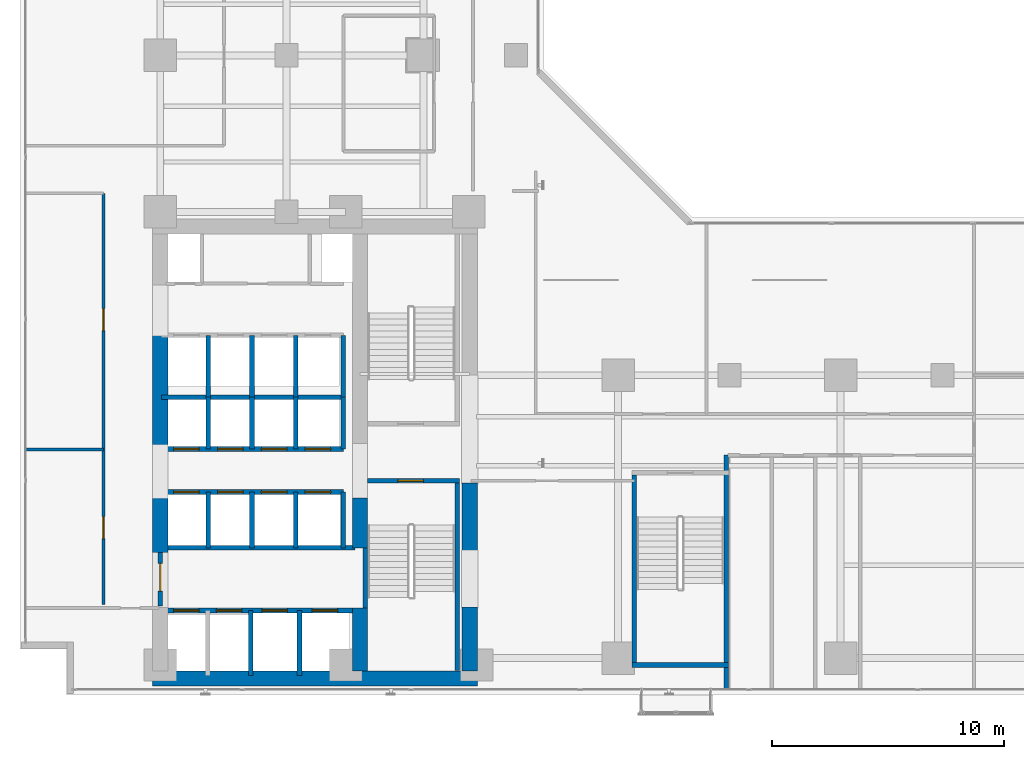
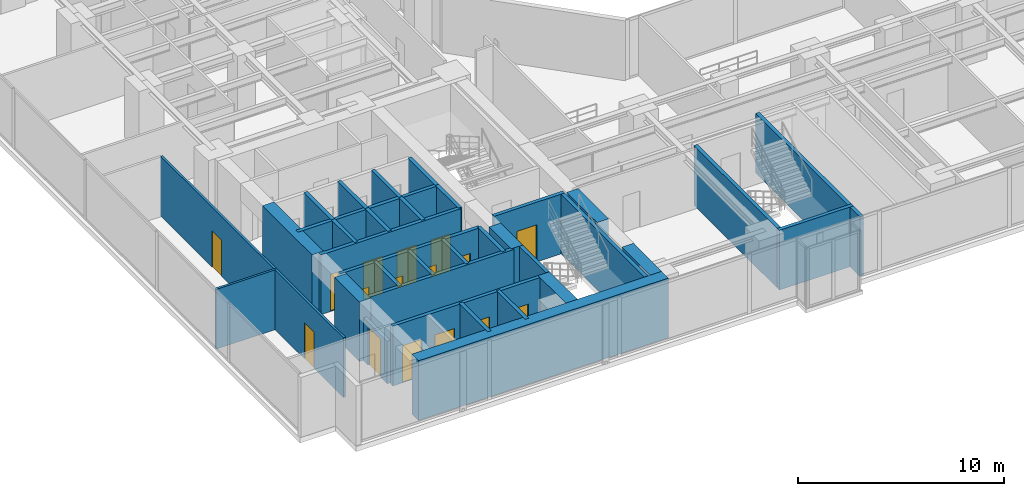
# One storey, part 19 of 26: 35 walls, 16 doors, 16 openings.
"""IFC4 building model written with IfcOpenShell, lengths in metres."""

import ifcopenshell
import ifcopenshell.guid

model = None  # the IFC model being written
_history = None  # IfcOwnerHistory: only IFC2X3 demands one
_inside = {}  # id of a spatial element -> (the spatial element, [elements in it])
_under = {}  # id of a project, library or spatial element -> (it, [spatial elements below it])
_declared = {}  # id of a project -> (the project, [libraries it declares])
_typed = {}  # id of a type object -> (the type object, [elements of that type])
_made_of = {}  # id of a material, layer set ... -> (it, [elements and type objects made of it])


def new_model(schema):
    """Start an empty IFC model of exactly this schema.

    Asked for "IFC4X3", IfcOpenShell would pick the latest addendum, in which some entities
    have other attributes; the version numbers below select the first issue.
    IFC2X3 requires an IfcOwnerHistory on every rooted entity: one is made here for all.
    """
    global model, _history
    if schema == "IFC4X3":
        model = ifcopenshell.file(schema_version=(4, 3, 0, 0))
    else:
        model = ifcopenshell.file(schema=schema)
    _inside.clear()
    _under.clear()
    _declared.clear()
    _typed.clear()
    _made_of.clear()
    _history = None
    if model.schema == "IFC2X3":
        org = make("IfcOrganization", Name="unknown")
        user = make(
            "IfcPersonAndOrganization",
            ThePerson=make("IfcPerson", FamilyName="unknown"),
            TheOrganization=org,
        )
        app = make(
            "IfcApplication",
            ApplicationDeveloper=org,
            Version="unknown",
            ApplicationFullName="unknown",
            ApplicationIdentifier="unknown",
        )
        _history = make(
            "IfcOwnerHistory",
            OwningUser=user,
            OwningApplication=app,
            ChangeAction="ADDED",
            CreationDate=0,
        )
    return model


def make(cls, **values):
    """One entity of the class cls with the attributes given. An attribute that is None is left unset."""
    return model.create_entity(
        cls, **{name: value for name, value in values.items() if value is not None}
    )


def rooted(cls, **values):
    """An entity with a GlobalId (a new one), such as an element, a storey or a relation."""
    return make(cls, GlobalId=ifcopenshell.guid.new(), OwnerHistory=_history, **values)


def si_unit(unit_type, name, prefix=None):
    """IfcSIUnit, for example si_unit("LENGTHUNIT", "METRE", prefix="MILLI")."""
    return make("IfcSIUnit", UnitType=unit_type, Prefix=prefix, Name=name)


def assignment(units):
    """IfcUnitAssignment: the units of a project."""
    return None if units is None else make("IfcUnitAssignment", Units=units)


def point(xyz):
    """IfcCartesianPoint."""
    return None if xyz is None else make("IfcCartesianPoint", Coordinates=xyz)


def direction(xyz):
    """IfcDirection."""
    return None if xyz is None else make("IfcDirection", DirectionRatios=xyz)


def frame(location, z_axis=None, x_axis=None):
    """IfcAxis2Placement3D, a coordinate frame: its origin and axes. An axis left out is left unset."""
    return make(
        "IfcAxis2Placement3D",
        Location=point(location),
        Axis=direction(z_axis),
        RefDirection=direction(x_axis),
    )


def frame_2d(location, x_axis=None):
    """IfcAxis2Placement2D, a coordinate frame in the plane: its origin and x axis."""
    return make(
        "IfcAxis2Placement2D", Location=point(location), RefDirection=direction(x_axis)
    )


def origin():
    """The frame at (0, 0, 0) with its axes left unset."""
    return frame((0.0, 0.0, 0.0))


def place(relative_to, where):
    """IfcLocalPlacement: puts the frame where relative to a parent placement (None: the world)."""
    return make(
        "IfcLocalPlacement", PlacementRelTo=relative_to, RelativePlacement=where
    )


def context(
    kind, dimensions, precision=None, world=None, true_north=None, identifier=None
):
    """IfcGeometricRepresentationContext, for example the 3D "Model" context."""
    return make(
        "IfcGeometricRepresentationContext",
        ContextIdentifier=identifier,
        ContextType=kind,
        CoordinateSpaceDimension=dimensions,
        Precision=precision,
        WorldCoordinateSystem=world,
        TrueNorth=true_north,
    )


def subcontext(parent, identifier, kind, view, scale=None):
    """IfcGeometricRepresentationSubContext, for example "Body" below "Model"."""
    return make(
        "IfcGeometricRepresentationSubContext",
        ContextIdentifier=identifier,
        ContextType=kind,
        ParentContext=parent,
        TargetScale=scale,
        TargetView=view,
    )


def project(units=None, contexts=None):
    """IfcProject with its units and contexts."""
    return rooted(
        "IfcProject",
        Name="project",
        RepresentationContexts=contexts,
        UnitsInContext=assignment(units),
    )


def spatial(cls, under=None, at=None, **own):
    """A site, building, storey or space (cls), placed at a placement, below another one or the project."""
    s = rooted(cls, ObjectPlacement=at, **own)
    if under is not None:
        _under.setdefault(under.id(), (under, []))[1].append(s)
    return s


def profile(cls, at=None, kind="AREA", **sizes):
    """A parametric profile (cls). Its sizes go by their IFC names, for example OverallWidth=200.0."""
    return make(cls, ProfileType=kind, Position=at, **sizes)


def rectangle(**sizes):
    """IfcRectangleProfileDef."""
    return profile("IfcRectangleProfileDef", **sizes)


def extrude(swept, where, along, depth):
    """IfcExtrudedAreaSolid: the profile swept, set in the frame where, extruded along a direction by depth."""
    return make(
        "IfcExtrudedAreaSolid",
        SweptArea=swept,
        Position=where,
        ExtrudedDirection=direction(along),
        Depth=depth,
    )


def shape(context_of_items, identifier, shape_type, items):
    """IfcShapeRepresentation: the items that make up one representation, for example the "Body"."""
    return make(
        "IfcShapeRepresentation",
        ContextOfItems=context_of_items,
        RepresentationIdentifier=identifier,
        RepresentationType=shape_type,
        Items=items,
    )


def material(Name=None, Category=None):
    """IfcMaterial."""
    return make("IfcMaterial", Name=Name, Category=Category)


def layer(
    of_material, thickness, ventilated=None, Name=None, Category=None, Priority=None
):
    """IfcMaterialLayer: one layer of a wall or slab, of a material (None: an air gap)."""
    return make(
        "IfcMaterialLayer",
        Material=of_material,
        LayerThickness=thickness,
        IsVentilated=ventilated,
        Name=Name,
        Category=Category,
        Priority=Priority,
    )


def layer_set(layers, Name=None):
    """IfcMaterialLayerSet."""
    return make("IfcMaterialLayerSet", MaterialLayers=layers, LayerSetName=Name)


def made_of(thing, what):
    """Note that an element or type object is made of a material, layer set ...; save() writes the relation."""
    if what is not None:
        _made_of.setdefault(what.id(), (what, []))[1].append(thing)
    return thing


def type_object(cls, material=None, **own):
    """A type object (cls), such as IfcWallType, which elements share."""
    return made_of(rooted(cls, **own), material)


def element(
    cls,
    number,
    at=None,
    inside=None,
    cuts=None,
    type_object=None,
    material=None,
    context=None,
    identifier="Body",
    shape_type=None,
    held_by="IfcProductDefinitionShape",
    body=None,
    shapes=None,
    **own,
):
    """One element of the class cls, such as IfcWall. Its Tag is "e" and its number.

    at: its placement. inside: the storey or other place that contains it. cuts: it is an
    opening in that element (IfcRelVoidsElement). A single representation is given by context,
    identifier, shape_type and body (its items); several are given by shapes. held_by: the class
    of the entity that holds the representations. save() writes the other relations.
    """
    e = rooted(cls, Tag="e%d" % number, ObjectPlacement=at, **own)
    if body is not None:
        shapes = [shape(context, identifier, shape_type, body)]
    if shapes is not None:
        e.Representation = make(held_by, Representations=shapes)
    if inside is not None:
        _inside.setdefault(inside.id(), (inside, []))[1].append(e)
    if cuts is not None:
        rooted(
            "IfcRelVoidsElement", RelatingBuildingElement=cuts, RelatedOpeningElement=e
        )
    if type_object is not None:
        _typed.setdefault(type_object.id(), (type_object, []))[1].append(e)
    return made_of(e, material)


def fill(opening, filler):
    """IfcRelFillsElement: the door or window that sits in an opening."""
    return rooted(
        "IfcRelFillsElement",
        RelatingOpeningElement=opening,
        RelatedBuildingElement=filler,
    )


def aggregate(whole, parts):
    """IfcRelAggregates: a whole, such as a stair, and the parts it consists of."""
    return rooted("IfcRelAggregates", RelatingObject=whole, RelatedObjects=parts)


def save(model, path):
    """Write the relations noted so far, then the file.

    IfcRelAggregates (storeys below a building ...), IfcRelContainedInSpatialStructure (elements
    in a storey), IfcRelDefinesByType, IfcRelAssociatesMaterial and IfcRelDeclares: one each for
    every whole, place, type object, material and project.
    """
    for whole, parts in _under.values():
        aggregate(whole, parts)
    for where, things in _inside.values():
        rooted(
            "IfcRelContainedInSpatialStructure",
            RelatedElements=things,
            RelatingStructure=where,
        )
    for kind, things in _typed.values():
        rooted("IfcRelDefinesByType", RelatedObjects=things, RelatingType=kind)
    for what, things in _made_of.values():
        rooted("IfcRelAssociatesMaterial", RelatedObjects=things, RelatingMaterial=what)
    for by, libraries in _declared.values():
        rooted("IfcRelDeclares", RelatingContext=by, RelatedDefinitions=libraries)
    model.write(path)


model = new_model("IFC4")

# Units and contexts
model_context = context("Model", 3, precision=1e-05, world=origin(), true_north=direction((0.0, 1.0)))
body_context = subcontext(model_context, "Body", "Model", "MODEL_VIEW")
ifc_project = project(units=[si_unit("LENGTHUNIT", "METRE"), si_unit("AREAUNIT", "SQUARE_METRE"), si_unit("VOLUMEUNIT", "CUBIC_METRE"), si_unit("PLANEANGLEUNIT", "RADIAN"), si_unit("MASSUNIT", "GRAM", prefix="KILO")], contexts=[model_context])

# Site, building, storey
site_placement = place(None, origin())
site = spatial("IfcSite", under=ifc_project, at=site_placement, CompositionType="ELEMENT")
building_placement = place(site_placement, origin())
building = spatial("IfcBuilding", under=site, at=building_placement, Name="Kolvaren Waterfront Exchange", CompositionType="ELEMENT")
storey_placement = place(building_placement, frame((0.0, 0.0, 110.699951171875)))
storey = spatial("IfcBuildingStorey", under=building, at=storey_placement, Name="L28", CompositionType="ELEMENT", Elevation=110.699951171875)

# Wall, opening, door
ifc_material_1 = material(Name="Precast concrete C40/50", Category="concrete")
ifc_layer_1 = layer(ifc_material_1, 0.199951171875, Name="Precast concrete C40/50")
ifc_layer_set_1 = layer_set([ifc_layer_1], Name="Precast concrete C40/50")
wall_type_1 = type_object("IfcWallType", Name="ARC-FIRE-200", PredefinedType="PARTITIONING", material=ifc_layer_set_1)
wall_1_placement = place(storey_placement, frame((16.39990234375, 12.85009765625, 0.0), z_axis=(0.0, 0.0, 1.0), x_axis=(1.0, 0.0, 0.0)))
wall_1 = element("IfcWall", 1, at=wall_1_placement, inside=storey, type_object=wall_type_1, Name="L28 interior wall PW-L28-ST1-THROAT-S", PredefinedType="PARTITIONING", context=body_context, shape_type="SweptSolid", body=[
    extrude(rectangle(XDim=3.960205078125, YDim=0.199951171875, at=frame_2d((1.97998046875, 0.0))), origin(), (0.0, 0.0, 1.0), 3.5400390625),
])
opening_1_placement = place(wall_1_placement, frame((1.3037109375, 0.0, 0.0)))
opening_1 = element("IfcOpeningElement", 2, at=opening_1_placement, cuts=wall_1, Name="Opening FD2", PredefinedType="OPENING", context=body_context, shape_type="SweptSolid", body=[
    extrude(rectangle(XDim=1.10009765625, YDim=2.199951171875, at=frame_2d((0.550048828125, 1.10009765625))), frame((0.0, 0.10986328125, 0.0), z_axis=(0.0, -1.0, 0.0), x_axis=(1.0, 0.0, 0.0)), (0.0, 0.0, 1.0), 0.219970703125),
])
ifc_material_2 = material(Name="Pressed steel smoke-seal fire door", Category="steel")
door_type_1 = type_object("IfcDoorType", Name="ARC-FD-1100", OperationType="NOTDEFINED", PredefinedType="DOOR", material=ifc_material_2)
door_1_placement = place(opening_1_placement, frame((1.10009765625, 0.0, 0.0), z_axis=(0.0, 0.0, 1.0), x_axis=(-1.0, 0.0, 0.0)))
door_1 = element("IfcDoor", 3, at=door_1_placement, inside=storey, type_object=door_type_1, Name="L28 door DR-L28-ST1-IN (FD2)", OperationType="SINGLE_SWING_RIGHT", OverallHeight=2.199951171875, OverallWidth=1.10009765625, PredefinedType="DOOR", context=body_context, shape_type="SweptSolid", body=[
    extrude(rectangle(XDim=1.10009765625, YDim=2.199951171875, at=frame_2d((0.550048828125, 1.10009765625))), frame((0.0, 0.02490234375, 0.0), z_axis=(0.0, -1.0, 0.0), x_axis=(1.0, 0.0, 0.0)), (0.0, 0.0, 1.0), 0.050048828125),
])
fill(opening_1, door_1)

# Wall
wall_2_placement = place(storey_placement, frame((7.5, 9.949951171875, 0.0), z_axis=(0.0, 0.0, 1.0), x_axis=(1.0, 0.0, 0.0)))
element("IfcWall", 4, at=wall_2_placement, inside=storey, type_object=wall_type_1, Name="L28 interior wall PW-L28-FF-N", PredefinedType="PARTITIONING", context=body_context, shape_type="SweptSolid", body=[
    extrude(rectangle(XDim=8.35009765625, YDim=0.199951171875, at=frame_2d((4.175048828125, 0.0))), origin(), (0.0, 0.0, 1.0), 3.5400390625),
])

# Wall, opening, door
wall_3_placement = place(storey_placement, frame((7.449951171875, 7.449951171875, 0.0), z_axis=(0.0, 0.0, 1.0), x_axis=(0.0, 1.0, 0.0)))
wall_3 = element("IfcWall", 5, at=wall_3_placement, inside=storey, type_object=wall_type_1, Name="L28 interior wall PW-L28-FF-W-DOOR", PredefinedType="PARTITIONING", context=body_context, shape_type="SweptSolid", body=[
    extrude(rectangle(XDim=2.300048828125, YDim=0.199951171875, at=frame_2d((1.14990234375, 0.0))), origin(), (0.0, 0.0, 1.0), 2.52001953125),
])
opening_2_placement = place(wall_3_placement, frame((0.63330078125, 0.0, 0.0)))
opening_2 = element("IfcOpeningElement", 6, at=opening_2_placement, cuts=wall_3, Name="Opening FD3", PredefinedType="OPENING", context=body_context, shape_type="SweptSolid", body=[
    extrude(rectangle(XDim=1.199951171875, YDim=2.25, at=frame_2d((0.60009765625, 1.125))), frame((0.0, 0.10986328125, 0.0), z_axis=(0.0, -1.0, 0.0), x_axis=(1.0, 0.0, 0.0)), (0.0, 0.0, 1.0), 0.219970703125),
])
ifc_material_3 = material(Name="Pressed steel fire door", Category="steel")
door_type_2 = type_object("IfcDoorType", Name="ARC-FD-1200", OperationType="NOTDEFINED", PredefinedType="DOOR", material=ifc_material_3)
door_2_placement = place(opening_2_placement, frame((1.199951171875, 0.0, 0.0), z_axis=(0.0, 0.0, 1.0), x_axis=(-1.0, 0.0, 0.0)))
door_2 = element("IfcDoor", 7, at=door_2_placement, inside=storey, type_object=door_type_2, Name="L28 door DR-L28-FF-OUT (FD3)", OperationType="SINGLE_SWING_LEFT", OverallHeight=2.25, OverallWidth=1.199951171875, PredefinedType="DOOR", context=body_context, shape_type="SweptSolid", body=[
    extrude(rectangle(XDim=1.199951171875, YDim=2.25, at=frame_2d((0.60009765625, 1.125))), frame((0.0, 0.02490234375, 0.0), z_axis=(0.0, -1.0, 0.0), x_axis=(1.0, 0.0, 0.0)), (0.0, 0.0, 1.0), 0.050048828125),
])
fill(opening_2, door_2)

# Wall, openings, doors
ifc_material_4 = material(Name="Acoustic gypsum steel stud", Category="steel")
ifc_layer_2 = layer(ifc_material_4, 0.125, Name="Acoustic gypsum steel stud")
ifc_layer_set_2 = layer_set([ifc_layer_2], Name="Acoustic gypsum steel stud")
wall_type_2 = type_object("IfcWallType", Name="ARC-PART-125", PredefinedType="PARTITIONING", material=ifc_layer_set_2)
wall_4_placement = place(storey_placement, frame((5.0, 7.5, 0.0), z_axis=(0.0, 0.0, 1.0), x_axis=(0.0, 1.0, 0.0)))
wall_4 = element("IfcWall", 8, at=wall_4_placement, inside=storey, type_object=wall_type_2, Name="L28 interior wall PW-L28-WFLANK-E", PredefinedType="PARTITIONING", context=body_context, shape_type="SweptSolid", body=[
    extrude(rectangle(XDim=17.75, YDim=0.125, at=frame_2d((8.875, 0.0))), origin(), (0.0, 0.0, 1.0), 3.5400390625),
])
opening_3_placement = place(wall_4_placement, frame((2.85009765625, 0.0, 0.0)))
opening_3 = element("IfcOpeningElement", 9, at=opening_3_placement, cuts=wall_4, Name="Opening D02", PredefinedType="OPENING", context=body_context, shape_type="SweptSolid", body=[
    extrude(rectangle(XDim=0.949951171875, YDim=2.14990234375, at=frame_2d((0.47509765625, 1.074951171875))), frame((0.0, 0.072509765625, 0.0), z_axis=(0.0, -1.0, 0.0), x_axis=(1.0, 0.0, 0.0)), (0.0, 0.0, 1.0), 0.14501953125),
])
opening_4_placement = place(wall_4_placement, frame((11.82080078125, 0.0, 0.0)))
opening_4 = element("IfcOpeningElement", 10, at=opening_4_placement, cuts=wall_4, Name="Opening D02", PredefinedType="OPENING", context=body_context, shape_type="SweptSolid", body=[
    extrude(rectangle(XDim=0.949951171875, YDim=2.14990234375, at=frame_2d((0.47509765625, 1.074951171875))), frame((0.0, 0.072509765625, 0.0), z_axis=(0.0, -1.0, 0.0), x_axis=(1.0, 0.0, 0.0)), (0.0, 0.0, 1.0), 0.14501953125),
])
ifc_material_5 = material(Name="Oak veneer acoustic timber", Category="wood")
door_type_3 = type_object("IfcDoorType", Name="ARC-DR-950", OperationType="NOTDEFINED", PredefinedType="DOOR", material=ifc_material_5)
door_3_placement = place(opening_3_placement, origin())
door_3 = element("IfcDoor", 11, at=door_3_placement, inside=storey, type_object=door_type_3, Name="L28 door DR-L28-WFL1-D (D02)", OperationType="SINGLE_SWING_LEFT", OverallHeight=2.14990234375, OverallWidth=0.949951171875, PredefinedType="DOOR", context=body_context, shape_type="SweptSolid", body=[
    extrude(rectangle(XDim=0.949951171875, YDim=2.14990234375, at=frame_2d((0.47509765625, 1.074951171875))), frame((0.0, 0.02490234375, 0.0), z_axis=(0.0, -1.0, 0.0), x_axis=(1.0, 0.0, 0.0)), (0.0, 0.0, 1.0), 0.050048828125),
])
fill(opening_3, door_3)
door_4_placement = place(opening_4_placement, origin())
door_4 = element("IfcDoor", 12, at=door_4_placement, inside=storey, type_object=door_type_3, Name="L28 door DR-L28-WFL2-D (D02)", OperationType="SINGLE_SWING_RIGHT", OverallHeight=2.14990234375, OverallWidth=0.949951171875, PredefinedType="DOOR", context=body_context, shape_type="SweptSolid", body=[
    extrude(rectangle(XDim=0.949951171875, YDim=2.14990234375, at=frame_2d((0.47509765625, 1.074951171875))), frame((0.0, 0.02490234375, 0.0), z_axis=(0.0, -1.0, 0.0), x_axis=(1.0, 0.0, 0.0)), (0.0, 0.0, 1.0), 0.050048828125),
])
fill(opening_4, door_4)

# Walls
wall_5_placement = place(storey_placement, frame((1.639892578125, 14.199951171875, 0.0), z_axis=(0.0, 0.0, 1.0), x_axis=(1.0, 0.0, 0.0)))
element("IfcWall", 13, at=wall_5_placement, inside=storey, type_object=wall_type_2, Name="L28 interior wall PW-L28-WFLANK-MID", PredefinedType="PARTITIONING", context=body_context, shape_type="SweptSolid", body=[
    extrude(rectangle(XDim=3.360107421875, YDim=0.125, at=frame_2d((1.68017578125, 0.0))), origin(), (0.0, 0.0, 1.0), 3.5400390625),
])
ifc_material_6 = material(Name="Concrete C40/50", Category="concrete")
ifc_layer_3 = layer(ifc_material_6, 0.199951171875, Name="Concrete C40/50")
ifc_layer_set_3 = layer_set([ifc_layer_3], Name="Concrete C40/50")
wall_type_3 = type_object("IfcWallType", Name="ARC-SHAFT-200", PredefinedType="PARTITIONING", material=ifc_layer_set_3)
wall_6_placement = place(storey_placement, frame((16.300048828125, 7.360107421875, 0.0), z_axis=(0.0, 0.0, 1.0), x_axis=(0.0, 1.0, 0.0)))
element("IfcWall", 14, at=wall_6_placement, inside=storey, type_object=wall_type_3, Name="L28 structural stairwell wall PW-L28-ST1-W", PredefinedType="SHEAR", context=body_context, shape_type="SweptSolid", body=[
    extrude(rectangle(XDim=2.579833984375, YDim=0.199951171875, at=frame_2d((1.2900390625, 0.0))), origin(), (0.0, 0.0, 1.0), 3.5400390625),
])
wall_7_placement = place(storey_placement, frame((20.260009765625, 4.659912109375, 0.0), z_axis=(0.0, 0.0, 1.0), x_axis=(0.0, 1.0, 0.0)))
element("IfcWall", 15, at=wall_7_placement, inside=storey, type_object=wall_type_3, Name="L28 structural stairwell wall PW-L28-ST1-E", PredefinedType="SHEAR", context=body_context, shape_type="SweptSolid", body=[
    extrude(rectangle(XDim=8.090087890625, YDim=0.199951171875, at=frame_2d((4.044921875, 0.0))), origin(), (0.0, 0.0, 1.0), 3.5400390625),
])
wall_8_placement = place(storey_placement, frame((27.89990234375, 5.0, 0.0), z_axis=(0.0, 0.0, 1.0), x_axis=(0.0, 1.0, 0.0)))
element("IfcWall", 16, at=wall_8_placement, inside=storey, type_object=wall_type_3, Name="L28 structural stairwell wall PW-L28-ST3-W", PredefinedType="SHEAR", context=body_context, shape_type="SweptSolid", body=[
    extrude(rectangle(XDim=8.10009765625, YDim=0.199951171875, at=frame_2d((4.050048828125, 0.0))), origin(), (0.0, 0.0, 1.0), 3.5400390625),
])
wall_9_placement = place(storey_placement, frame((31.860107421875, 3.840087890625, 0.0), z_axis=(0.0, 0.0, 1.0), x_axis=(0.0, 1.0, 0.0)))
element("IfcWall", 17, at=wall_9_placement, inside=storey, type_object=wall_type_3, Name="L28 structural stairwell wall PW-L28-ST3-E", PredefinedType="SHEAR", context=body_context, shape_type="SweptSolid", body=[
    extrude(rectangle(XDim=10.10986328125, YDim=0.199951171875, at=frame_2d((5.054931640625, 0.0))), origin(), (0.0, 0.0, 1.0), 3.5400390625),
])
wall_10_placement = place(storey_placement, frame((27.800048828125, 4.89990234375, 0.0), z_axis=(0.0, 0.0, 1.0), x_axis=(1.0, 0.0, 0.0)))
element("IfcWall", 18, at=wall_10_placement, inside=storey, type_object=wall_type_3, Name="L28 structural stairwell wall PW-L28-ST3-S", PredefinedType="SHEAR", context=body_context, shape_type="SweptSolid", body=[
    extrude(rectangle(XDim=4.159912109375, YDim=0.199951171875, at=frame_2d((2.080078125, 0.0))), origin(), (0.0, 0.0, 1.0), 3.5400390625),
])

# Wall, openings, doors
wall_11_placement = place(storey_placement, frame((7.5, 7.25, 0.0), z_axis=(0.0, 0.0, 1.0), x_axis=(1.0, 0.0, 0.0)))
wall_11 = element("IfcWall", 19, at=wall_11_placement, inside=storey, type_object=wall_type_3, Name="L28 interior wall PW-L28-FF-S", PredefinedType="PARTITIONING", context=body_context, shape_type="SweptSolid", body=[
    extrude(rectangle(XDim=8.35009765625, YDim=0.199951171875, at=frame_2d((4.175048828125, 0.0))), origin(), (0.0, 0.0, 1.0), 3.5400390625),
])
opening_5_placement = place(wall_11_placement, frame((0.530029296875, 0.0, 0.0)))
opening_5 = element("IfcOpeningElement", 20, at=opening_5_placement, cuts=wall_11, Name="Opening LD1", PredefinedType="OPENING", context=body_context, shape_type="SweptSolid", body=[
    extrude(rectangle(XDim=1.10009765625, YDim=2.199951171875, at=frame_2d((0.550048828125, 1.10009765625))), frame((0.0, 0.10986328125, 0.0), z_axis=(0.0, -1.0, 0.0), x_axis=(1.0, 0.0, 0.0)), (0.0, 0.0, 1.0), 0.219970703125),
])
opening_6_placement = place(wall_11_placement, frame((2.3701171875, 0.0, 0.0)))
opening_6 = element("IfcOpeningElement", 21, at=opening_6_placement, cuts=wall_11, Name="Opening LD1", PredefinedType="OPENING", context=body_context, shape_type="SweptSolid", body=[
    extrude(rectangle(XDim=1.10009765625, YDim=2.199951171875, at=frame_2d((0.550048828125, 1.10009765625))), frame((0.0, 0.10986328125, 0.0), z_axis=(0.0, -1.0, 0.0), x_axis=(1.0, 0.0, 0.0)), (0.0, 0.0, 1.0), 0.219970703125),
])
opening_7_placement = place(wall_11_placement, frame((4.330078125, 0.0, 0.0)))
opening_7 = element("IfcOpeningElement", 22, at=opening_7_placement, cuts=wall_11, Name="Opening LD1", PredefinedType="OPENING", context=body_context, shape_type="SweptSolid", body=[
    extrude(rectangle(XDim=1.10009765625, YDim=2.199951171875, at=frame_2d((0.550048828125, 1.10009765625))), frame((0.0, 0.10986328125, 0.0), z_axis=(0.0, -1.0, 0.0), x_axis=(1.0, 0.0, 0.0)), (0.0, 0.0, 1.0), 0.219970703125),
])
opening_8_placement = place(wall_11_placement, frame((6.5, 0.0, 0.0)))
opening_8 = element("IfcOpeningElement", 23, at=opening_8_placement, cuts=wall_11, Name="Opening LD1", PredefinedType="OPENING", context=body_context, shape_type="SweptSolid", body=[
    extrude(rectangle(XDim=1.10009765625, YDim=2.199951171875, at=frame_2d((0.550048828125, 1.10009765625))), frame((0.0, 0.10986328125, 0.0), z_axis=(0.0, -1.0, 0.0), x_axis=(1.0, 0.0, 0.0)), (0.0, 0.0, 1.0), 0.219970703125),
])
ifc_material_7 = material(Name="Stainless steel sliding landing door", Category="steel")
door_type_4 = type_object("IfcDoorType", Name="ARC-LD-FF", OperationType="SLIDING_TO_LEFT", PredefinedType="DOOR", material=ifc_material_7)
door_5_placement = place(opening_5_placement, origin())
door_5 = element("IfcDoor", 24, at=door_5_placement, inside=storey, type_object=door_type_4, Name="L28 door LD-L28-FFL1 (LD1)", OperationType="SLIDING_TO_LEFT", OverallHeight=2.199951171875, OverallWidth=1.10009765625, PredefinedType="DOOR", context=body_context, shape_type="SweptSolid", body=[
    extrude(rectangle(XDim=1.10009765625, YDim=2.199951171875, at=frame_2d((0.550048828125, 1.10009765625))), frame((0.0, 0.02490234375, 0.0), z_axis=(0.0, -1.0, 0.0), x_axis=(1.0, 0.0, 0.0)), (0.0, 0.0, 1.0), 0.050048828125),
])
fill(opening_5, door_5)
door_6_placement = place(opening_6_placement, origin())
door_6 = element("IfcDoor", 25, at=door_6_placement, inside=storey, type_object=door_type_4, Name="L28 door LD-L28-FFL2 (LD1)", OperationType="SLIDING_TO_LEFT", OverallHeight=2.199951171875, OverallWidth=1.10009765625, PredefinedType="DOOR", context=body_context, shape_type="SweptSolid", body=[
    extrude(rectangle(XDim=1.10009765625, YDim=2.199951171875, at=frame_2d((0.550048828125, 1.10009765625))), frame((0.0, 0.02490234375, 0.0), z_axis=(0.0, -1.0, 0.0), x_axis=(1.0, 0.0, 0.0)), (0.0, 0.0, 1.0), 0.050048828125),
])
fill(opening_6, door_6)
door_7_placement = place(opening_7_placement, origin())
door_7 = element("IfcDoor", 26, at=door_7_placement, inside=storey, type_object=door_type_4, Name="L28 door LD-L28-GL1 (LD1)", OperationType="SLIDING_TO_LEFT", OverallHeight=2.199951171875, OverallWidth=1.10009765625, PredefinedType="DOOR", context=body_context, shape_type="SweptSolid", body=[
    extrude(rectangle(XDim=1.10009765625, YDim=2.199951171875, at=frame_2d((0.550048828125, 1.10009765625))), frame((0.0, 0.02490234375, 0.0), z_axis=(0.0, -1.0, 0.0), x_axis=(1.0, 0.0, 0.0)), (0.0, 0.0, 1.0), 0.050048828125),
])
fill(opening_7, door_7)
door_8_placement = place(opening_8_placement, origin())
door_8 = element("IfcDoor", 27, at=door_8_placement, inside=storey, type_object=door_type_4, Name="L28 door LD-L28-GL2 (LD1)", OperationType="SLIDING_TO_LEFT", OverallHeight=2.199951171875, OverallWidth=1.10009765625, PredefinedType="DOOR", context=body_context, shape_type="SweptSolid", body=[
    extrude(rectangle(XDim=1.10009765625, YDim=2.199951171875, at=frame_2d((0.550048828125, 1.10009765625))), frame((0.0, 0.02490234375, 0.0), z_axis=(0.0, -1.0, 0.0), x_axis=(1.0, 0.0, 0.0)), (0.0, 0.0, 1.0), 0.050048828125),
])
fill(opening_8, door_8)

# Walls
for number, where, z_axis, x_axis, name in (
    (28, (11.360107421875, 4.449951171875, 0.0), (0.0, 0.0, 1.0), (0.0, 1.0, 0.0), "L28 interior wall PW-L28-SH1-DIV-113"),
    (29, (13.4599609375, 4.449951171875, 0.0), (0.0, 0.0, 1.0), (0.0, 1.0, 0.0), "L28 interior wall PW-L28-SH1-DIV-134"),
):
    element("IfcWall", number, at=place(storey_placement, frame(where, z_axis=z_axis, x_axis=x_axis)), inside=storey, type_object=wall_type_3, Name=name, PredefinedType="PARTITIONING", context=body_context, shape_type="SweptSolid", body=[
        extrude(rectangle(XDim=2.800048828125, YDim=0.199951171875, at=frame_2d((1.39990234375, 0.0))), origin(), (0.0, 0.0, 1.0), 3.5400390625),
    ])

# Wall, openings, doors
wall_12_placement = place(storey_placement, frame((7.5, 12.360107421875, 0.0), z_axis=(0.0, 0.0, 1.0), x_axis=(1.0, 0.0, 0.0)))
wall_12 = element("IfcWall", 30, at=wall_12_placement, inside=storey, type_object=wall_type_3, Name="L28 interior wall PW-L28-PL-N", PredefinedType="PARTITIONING", context=body_context, shape_type="SweptSolid", body=[
    extrude(rectangle(XDim=7.85009765625, YDim=0.199951171875, at=frame_2d((3.925048828125, 0.0))), origin(), (0.0, 0.0, 1.0), 3.5400390625),
])
opening_9_placement = place(wall_12_placement, frame((0.530029296875, 0.0, 0.0)))
opening_9 = element("IfcOpeningElement", 31, at=opening_9_placement, cuts=wall_12, Name="Opening LD2", PredefinedType="OPENING", context=body_context, shape_type="SweptSolid", body=[
    extrude(rectangle(XDim=1.10009765625, YDim=2.199951171875, at=frame_2d((0.550048828125, 1.10009765625))), frame((0.0, 0.10986328125, 0.0), z_axis=(0.0, -1.0, 0.0), x_axis=(1.0, 0.0, 0.0)), (0.0, 0.0, 1.0), 0.219970703125),
])
opening_10_placement = place(wall_12_placement, frame((2.419921875, 0.0, 0.0)))
opening_10 = element("IfcOpeningElement", 32, at=opening_10_placement, cuts=wall_12, Name="Opening LD2", PredefinedType="OPENING", context=body_context, shape_type="SweptSolid", body=[
    extrude(rectangle(XDim=1.10009765625, YDim=2.199951171875, at=frame_2d((0.550048828125, 1.10009765625))), frame((0.0, 0.10986328125, 0.0), z_axis=(0.0, -1.0, 0.0), x_axis=(1.0, 0.0, 0.0)), (0.0, 0.0, 1.0), 0.219970703125),
])
opening_11_placement = place(wall_12_placement, frame((4.31005859375, 0.0, 0.0)))
opening_11 = element("IfcOpeningElement", 33, at=opening_11_placement, cuts=wall_12, Name="Opening LD2", PredefinedType="OPENING", context=body_context, shape_type="SweptSolid", body=[
    extrude(rectangle(XDim=1.10009765625, YDim=2.199951171875, at=frame_2d((0.550048828125, 1.10009765625))), frame((0.0, 0.10986328125, 0.0), z_axis=(0.0, -1.0, 0.0), x_axis=(1.0, 0.0, 0.0)), (0.0, 0.0, 1.0), 0.219970703125),
])
opening_12_placement = place(wall_12_placement, frame((6.199951171875, 0.0, 0.0)))
opening_12 = element("IfcOpeningElement", 34, at=opening_12_placement, cuts=wall_12, Name="Opening LD2", PredefinedType="OPENING", context=body_context, shape_type="SweptSolid", body=[
    extrude(rectangle(XDim=1.10009765625, YDim=2.199951171875, at=frame_2d((0.550048828125, 1.10009765625))), frame((0.0, 0.10986328125, 0.0), z_axis=(0.0, -1.0, 0.0), x_axis=(1.0, 0.0, 0.0)), (0.0, 0.0, 1.0), 0.219970703125),
])
ifc_material_8 = material(Name="Brushed bronze sliding landing door", Category="aluminium")
door_type_5 = type_object("IfcDoorType", Name="ARC-LD-PAX", OperationType="SLIDING_TO_LEFT", PredefinedType="DOOR", material=ifc_material_8)
door_9_placement = place(opening_9_placement, origin())
door_9 = element("IfcDoor", 35, at=door_9_placement, inside=storey, type_object=door_type_5, Name="L28 door LD-L28-PL1 (LD2)", OperationType="SLIDING_TO_LEFT", OverallHeight=2.199951171875, OverallWidth=1.10009765625, PredefinedType="DOOR", context=body_context, shape_type="SweptSolid", body=[
    extrude(rectangle(XDim=1.10009765625, YDim=2.199951171875, at=frame_2d((0.550048828125, 1.10009765625))), frame((0.0, 0.02490234375, 0.0), z_axis=(0.0, -1.0, 0.0), x_axis=(1.0, 0.0, 0.0)), (0.0, 0.0, 1.0), 0.050048828125),
])
fill(opening_9, door_9)
door_10_placement = place(opening_10_placement, origin())
door_10 = element("IfcDoor", 36, at=door_10_placement, inside=storey, type_object=door_type_5, Name="L28 door LD-L28-PL2 (LD2)", OperationType="SLIDING_TO_LEFT", OverallHeight=2.199951171875, OverallWidth=1.10009765625, PredefinedType="DOOR", context=body_context, shape_type="SweptSolid", body=[
    extrude(rectangle(XDim=1.10009765625, YDim=2.199951171875, at=frame_2d((0.550048828125, 1.10009765625))), frame((0.0, 0.02490234375, 0.0), z_axis=(0.0, -1.0, 0.0), x_axis=(1.0, 0.0, 0.0)), (0.0, 0.0, 1.0), 0.050048828125),
])
fill(opening_10, door_10)
door_11_placement = place(opening_11_placement, origin())
door_11 = element("IfcDoor", 37, at=door_11_placement, inside=storey, type_object=door_type_5, Name="L28 door LD-L28-PL3 (LD2)", OperationType="SLIDING_TO_LEFT", OverallHeight=2.199951171875, OverallWidth=1.10009765625, PredefinedType="DOOR", context=body_context, shape_type="SweptSolid", body=[
    extrude(rectangle(XDim=1.10009765625, YDim=2.199951171875, at=frame_2d((0.550048828125, 1.10009765625))), frame((0.0, 0.02490234375, 0.0), z_axis=(0.0, -1.0, 0.0), x_axis=(1.0, 0.0, 0.0)), (0.0, 0.0, 1.0), 0.050048828125),
])
fill(opening_11, door_11)
door_12_placement = place(opening_12_placement, origin())
door_12 = element("IfcDoor", 38, at=door_12_placement, inside=storey, type_object=door_type_5, Name="L28 door LD-L28-PL4 (LD2)", OperationType="SLIDING_TO_LEFT", OverallHeight=2.199951171875, OverallWidth=1.10009765625, PredefinedType="DOOR", context=body_context, shape_type="SweptSolid", body=[
    extrude(rectangle(XDim=1.10009765625, YDim=2.199951171875, at=frame_2d((0.550048828125, 1.10009765625))), frame((0.0, 0.02490234375, 0.0), z_axis=(0.0, -1.0, 0.0), x_axis=(1.0, 0.0, 0.0)), (0.0, 0.0, 1.0), 0.050048828125),
])
fill(opening_12, door_12)

# Walls
for number, where, z_axis, x_axis, name in (
    (39, (15.35009765625, 9.949951171875, 0.0), (0.0, 0.0, 1.0), (0.0, 1.0, 0.0), "L28 interior wall PW-L28-PL-E"),
    (40, (9.52001953125, 9.949951171875, 0.0), (0.0, 0.0, 1.0), (0.0, 1.0, 0.0), "L28 interior wall PW-L28-SH2-DIV-95"),
    (41, (11.409912109375, 9.949951171875, 0.0), (0.0, 0.0, 1.0), (0.0, 1.0, 0.0), "L28 interior wall PW-L28-SH2-DIV-114"),
    (42, (13.300048828125, 9.949951171875, 0.0), (0.0, 0.0, 1.0), (0.0, 1.0, 0.0), "L28 interior wall PW-L28-SH2-DIV-133"),
):
    element("IfcWall", number, at=place(storey_placement, frame(where, z_axis=z_axis, x_axis=x_axis)), inside=storey, type_object=wall_type_3, Name=name, PredefinedType="PARTITIONING", context=body_context, shape_type="SweptSolid", body=[
        extrude(rectangle(XDim=2.41015625, YDim=0.199951171875, at=frame_2d((1.205078125, 0.0))), origin(), (0.0, 0.0, 1.0), 3.5400390625),
    ])

# Wall, openings, doors
wall_13_placement = place(storey_placement, frame((7.5, 14.219970703125, 0.0), z_axis=(0.0, 0.0, 1.0), x_axis=(1.0, 0.0, 0.0)))
wall_13 = element("IfcWall", 43, at=wall_13_placement, inside=storey, type_object=wall_type_3, Name="L28 interior wall PW-L28-PM-S", PredefinedType="PARTITIONING", context=body_context, shape_type="SweptSolid", body=[
    extrude(rectangle(XDim=7.85009765625, YDim=0.199951171875, at=frame_2d((3.925048828125, 0.0))), origin(), (0.0, 0.0, 1.0), 3.5400390625),
])
opening_13_placement = place(wall_13_placement, frame((0.530029296875, 0.0, 0.0)))
opening_13 = element("IfcOpeningElement", 44, at=opening_13_placement, cuts=wall_13, Name="Opening LD2", PredefinedType="OPENING", context=body_context, shape_type="SweptSolid", body=[
    extrude(rectangle(XDim=1.10009765625, YDim=2.199951171875, at=frame_2d((0.550048828125, 1.10009765625))), frame((0.0, 0.10986328125, 0.0), z_axis=(0.0, -1.0, 0.0), x_axis=(1.0, 0.0, 0.0)), (0.0, 0.0, 1.0), 0.219970703125),
])
opening_14_placement = place(wall_13_placement, frame((2.419921875, 0.0, 0.0)))
opening_14 = element("IfcOpeningElement", 45, at=opening_14_placement, cuts=wall_13, Name="Opening LD2", PredefinedType="OPENING", context=body_context, shape_type="SweptSolid", body=[
    extrude(rectangle(XDim=1.10009765625, YDim=2.199951171875, at=frame_2d((0.550048828125, 1.10009765625))), frame((0.0, 0.10986328125, 0.0), z_axis=(0.0, -1.0, 0.0), x_axis=(1.0, 0.0, 0.0)), (0.0, 0.0, 1.0), 0.219970703125),
])
opening_15_placement = place(wall_13_placement, frame((4.31005859375, 0.0, 0.0)))
opening_15 = element("IfcOpeningElement", 46, at=opening_15_placement, cuts=wall_13, Name="Opening LD2", PredefinedType="OPENING", context=body_context, shape_type="SweptSolid", body=[
    extrude(rectangle(XDim=1.10009765625, YDim=2.199951171875, at=frame_2d((0.550048828125, 1.10009765625))), frame((0.0, 0.10986328125, 0.0), z_axis=(0.0, -1.0, 0.0), x_axis=(1.0, 0.0, 0.0)), (0.0, 0.0, 1.0), 0.219970703125),
])
opening_16_placement = place(wall_13_placement, frame((6.199951171875, 0.0, 0.0)))
opening_16 = element("IfcOpeningElement", 47, at=opening_16_placement, cuts=wall_13, Name="Opening LD2", PredefinedType="OPENING", context=body_context, shape_type="SweptSolid", body=[
    extrude(rectangle(XDim=1.10009765625, YDim=2.199951171875, at=frame_2d((0.550048828125, 1.10009765625))), frame((0.0, 0.10986328125, 0.0), z_axis=(0.0, -1.0, 0.0), x_axis=(1.0, 0.0, 0.0)), (0.0, 0.0, 1.0), 0.219970703125),
])
door_13_placement = place(opening_13_placement, frame((1.10009765625, 0.0, 0.0), z_axis=(0.0, 0.0, 1.0), x_axis=(-1.0, 0.0, 0.0)))
door_13 = element("IfcDoor", 48, at=door_13_placement, inside=storey, type_object=door_type_5, Name="L28 door LD-L28-PM1 (LD2)", OperationType="SLIDING_TO_LEFT", OverallHeight=2.199951171875, OverallWidth=1.10009765625, PredefinedType="DOOR", context=body_context, shape_type="SweptSolid", body=[
    extrude(rectangle(XDim=1.10009765625, YDim=2.199951171875, at=frame_2d((0.550048828125, 1.10009765625))), frame((0.0, 0.02490234375, 0.0), z_axis=(0.0, -1.0, 0.0), x_axis=(1.0, 0.0, 0.0)), (0.0, 0.0, 1.0), 0.050048828125),
])
fill(opening_13, door_13)
door_14_placement = place(opening_14_placement, frame((1.10009765625, 0.0, 0.0), z_axis=(0.0, 0.0, 1.0), x_axis=(-1.0, 0.0, 0.0)))
door_14 = element("IfcDoor", 49, at=door_14_placement, inside=storey, type_object=door_type_5, Name="L28 door LD-L28-PM2 (LD2)", OperationType="SLIDING_TO_LEFT", OverallHeight=2.199951171875, OverallWidth=1.10009765625, PredefinedType="DOOR", context=body_context, shape_type="SweptSolid", body=[
    extrude(rectangle(XDim=1.10009765625, YDim=2.199951171875, at=frame_2d((0.550048828125, 1.10009765625))), frame((0.0, 0.02490234375, 0.0), z_axis=(0.0, -1.0, 0.0), x_axis=(1.0, 0.0, 0.0)), (0.0, 0.0, 1.0), 0.050048828125),
])
fill(opening_14, door_14)
door_15_placement = place(opening_15_placement, frame((1.10009765625, 0.0, 0.0), z_axis=(0.0, 0.0, 1.0), x_axis=(-1.0, 0.0, 0.0)))
door_15 = element("IfcDoor", 50, at=door_15_placement, inside=storey, type_object=door_type_5, Name="L28 door LD-L28-PM3 (LD2)", OperationType="SLIDING_TO_LEFT", OverallHeight=2.199951171875, OverallWidth=1.10009765625, PredefinedType="DOOR", context=body_context, shape_type="SweptSolid", body=[
    extrude(rectangle(XDim=1.10009765625, YDim=2.199951171875, at=frame_2d((0.550048828125, 1.10009765625))), frame((0.0, 0.02490234375, 0.0), z_axis=(0.0, -1.0, 0.0), x_axis=(1.0, 0.0, 0.0)), (0.0, 0.0, 1.0), 0.050048828125),
])
fill(opening_15, door_15)
door_16_placement = place(opening_16_placement, frame((1.10009765625, 0.0, 0.0), z_axis=(0.0, 0.0, 1.0), x_axis=(-1.0, 0.0, 0.0)))
door_16 = element("IfcDoor", 51, at=door_16_placement, inside=storey, type_object=door_type_5, Name="L28 door LD-L28-PM4 (LD2)", OperationType="SLIDING_TO_LEFT", OverallHeight=2.199951171875, OverallWidth=1.10009765625, PredefinedType="DOOR", context=body_context, shape_type="SweptSolid", body=[
    extrude(rectangle(XDim=1.10009765625, YDim=2.199951171875, at=frame_2d((0.550048828125, 1.10009765625))), frame((0.0, 0.02490234375, 0.0), z_axis=(0.0, -1.0, 0.0), x_axis=(1.0, 0.0, 0.0)), (0.0, 0.0, 1.0), 0.050048828125),
])
fill(opening_16, door_16)

# Walls
wall_14_placement = place(storey_placement, frame((7.5, 16.449951171875, 0.0), z_axis=(0.0, 0.0, 1.0), x_axis=(1.0, 0.0, 0.0)))
element("IfcWall", 52, at=wall_14_placement, inside=storey, type_object=wall_type_3, Name="L28 interior wall PW-L28-PM-N", PredefinedType="PARTITIONING", context=body_context, shape_type="SweptSolid", body=[
    extrude(rectangle(XDim=7.85009765625, YDim=0.199951171875, at=frame_2d((3.925048828125, 0.0))), origin(), (0.0, 0.0, 1.0), 3.5400390625),
])
for number, where, z_axis, x_axis, name in (
    (53, (15.35009765625, 14.219970703125, 0.0), (0.0, 0.0, 1.0), (0.0, 1.0, 0.0), "L28 interior wall PW-L28-PM-E"),
    (54, (9.52001953125, 14.219970703125, 0.0), (0.0, 0.0, 1.0), (0.0, 1.0, 0.0), "L28 interior wall PW-L28-SH3-DIV-95"),
    (55, (11.409912109375, 14.219970703125, 0.0), (0.0, 0.0, 1.0), (0.0, 1.0, 0.0), "L28 interior wall PW-L28-SH3-DIV-114"),
    (56, (13.300048828125, 14.219970703125, 0.0), (0.0, 0.0, 1.0), (0.0, 1.0, 0.0), "L28 interior wall PW-L28-SH3-DIV-133"),
):
    element("IfcWall", number, at=place(storey_placement, frame(where, z_axis=z_axis, x_axis=x_axis)), inside=storey, type_object=wall_type_3, Name=name, PredefinedType="PARTITIONING", context=body_context, shape_type="SweptSolid", body=[
        extrude(rectangle(XDim=2.22998046875, YDim=0.199951171875, at=frame_2d((1.114990234375, 0.0))), origin(), (0.0, 0.0, 1.0), 3.5400390625),
    ])
for number, where, z_axis, x_axis, name in (
    (57, (15.35009765625, 16.449951171875, 0.0), (0.0, 0.0, 1.0), (0.0, 1.0, 0.0), "L28 interior wall PW-L28-PH-E"),
    (58, (9.52001953125, 16.449951171875, 0.0), (0.0, 0.0, 1.0), (0.0, 1.0, 0.0), "L28 interior wall PW-L28-SH4-DIV-95"),
    (59, (11.409912109375, 16.449951171875, 0.0), (0.0, 0.0, 1.0), (0.0, 1.0, 0.0), "L28 interior wall PW-L28-SH4-DIV-114"),
    (60, (13.300048828125, 16.449951171875, 0.0), (0.0, 0.0, 1.0), (0.0, 1.0, 0.0), "L28 interior wall PW-L28-SH4-DIV-133"),
):
    element("IfcWall", number, at=place(storey_placement, frame(where, z_axis=z_axis, x_axis=x_axis)), inside=storey, type_object=wall_type_3, Name=name, PredefinedType="PARTITIONING", context=body_context, shape_type="SweptSolid", body=[
        extrude(rectangle(XDim=2.670166015625, YDim=0.199951171875, at=frame_2d((1.3349609375, 0.0))), origin(), (0.0, 0.0, 1.0), 3.5400390625),
    ])
ifc_material_9 = material(Name="Concrete C60/75", Category="concrete")
ifc_layer_4 = layer(ifc_material_9, 0.64990234375, Name="Concrete C60/75")
ifc_layer_set_4 = layer_set([ifc_layer_4], Name="Concrete C60/75")
wall_type_4 = type_object("IfcWallType", Name="STR-CWALL-650", PredefinedType="SHEAR", material=ifc_layer_set_4)
wall_15_placement = place(storey_placement, frame((7.125, 4.324951171875, 0.0), z_axis=(0.0, 0.0, 1.0), x_axis=(1.0, 0.0, 0.0)))
element("IfcWall", 61, at=wall_15_placement, inside=storey, type_object=wall_type_4, Name="L28 rear-core shear wall S", PredefinedType="SHEAR", context=body_context, shape_type="SweptSolid", body=[
    extrude(rectangle(XDim=14.0, YDim=0.64990234375, at=frame_2d((7.0, 0.0))), origin(), (0.0, 0.0, 1.0), 3.5400390625),
])
wall_16_placement = place(storey_placement, frame((7.449951171875, 9.75, 0.0), z_axis=(0.0, 0.0, 1.0), x_axis=(0.0, 1.0, 0.0)))
element("IfcWall", 62, at=wall_16_placement, inside=storey, type_object=wall_type_4, Name="L28 rear-core shear wall W2A", PredefinedType="SHEAR", context=body_context, shape_type="SweptSolid", body=[
    extrude(rectangle(XDim=2.39990234375, YDim=0.64990234375, at=frame_2d((1.199951171875, 0.0))), origin(), (0.0, 0.0, 1.0), 3.5400390625),
])
wall_17_placement = place(storey_placement, frame((7.449951171875, 14.35009765625, 0.0), z_axis=(0.0, 0.0, 1.0), x_axis=(0.0, 1.0, 0.0)))
element("IfcWall", 63, at=wall_17_placement, inside=storey, type_object=wall_type_4, Name="L28 rear-core shear wall W2B", PredefinedType="SHEAR", context=body_context, shape_type="SweptSolid", body=[
    extrude(rectangle(XDim=4.809814453125, YDim=0.64990234375, at=frame_2d((2.40478515625, 0.0))), origin(), (0.0, 0.0, 1.0), 3.5400390625),
])
wall_18_placement = place(storey_placement, frame((20.800048828125, 4.64990234375, 0.0), z_axis=(0.0, 0.0, 1.0), x_axis=(0.0, 1.0, 0.0)))
element("IfcWall", 64, at=wall_18_placement, inside=storey, type_object=wall_type_4, Name="L28 rear-core shear wall E1", PredefinedType="SHEAR", context=body_context, shape_type="SweptSolid", body=[
    extrude(rectangle(XDim=2.75, YDim=0.64990234375, at=frame_2d((1.375, 0.0))), origin(), (0.0, 0.0, 1.0), 3.5400390625),
])
wall_19_placement = place(storey_placement, frame((20.800048828125, 9.800048828125, 0.0), z_axis=(0.0, 0.0, 1.0), x_axis=(0.0, 1.0, 0.0)))
element("IfcWall", 65, at=wall_19_placement, inside=storey, type_object=wall_type_4, Name="L28 rear-core shear wall E2", PredefinedType="SHEAR", context=body_context, shape_type="SweptSolid", body=[
    extrude(rectangle(XDim=2.949951171875, YDim=0.64990234375, at=frame_2d((1.47509765625, 0.0))), origin(), (0.0, 0.0, 1.0), 3.5400390625),
])
wall_20_placement = place(storey_placement, frame((16.074951171875, 4.64990234375, 0.0), z_axis=(0.0, 0.0, 1.0), x_axis=(0.0, 1.0, 0.0)))
element("IfcWall", 66, at=wall_20_placement, inside=storey, type_object=wall_type_4, Name="L28 rear-core shear wall M1", PredefinedType="SHEAR", context=body_context, shape_type="SweptSolid", body=[
    extrude(rectangle(XDim=2.7001953125, YDim=0.64990234375, at=frame_2d((1.35009765625, 0.0))), origin(), (0.0, 0.0, 1.0), 3.5400390625),
])
wall_21_placement = place(storey_placement, frame((16.074951171875, 9.949951171875, 0.0), z_axis=(0.0, 0.0, 1.0), x_axis=(0.0, 1.0, 0.0)))
element("IfcWall", 67, at=wall_21_placement, inside=storey, type_object=wall_type_4, Name="L28 rear-core shear wall M2", PredefinedType="SHEAR", context=body_context, shape_type="SweptSolid", body=[
    extrude(rectangle(XDim=2.150146484375, YDim=0.64990234375, at=frame_2d((1.0751953125, 0.0))), origin(), (0.0, 0.0, 1.0), 3.5400390625),
])

save(model, "model.ifc")
